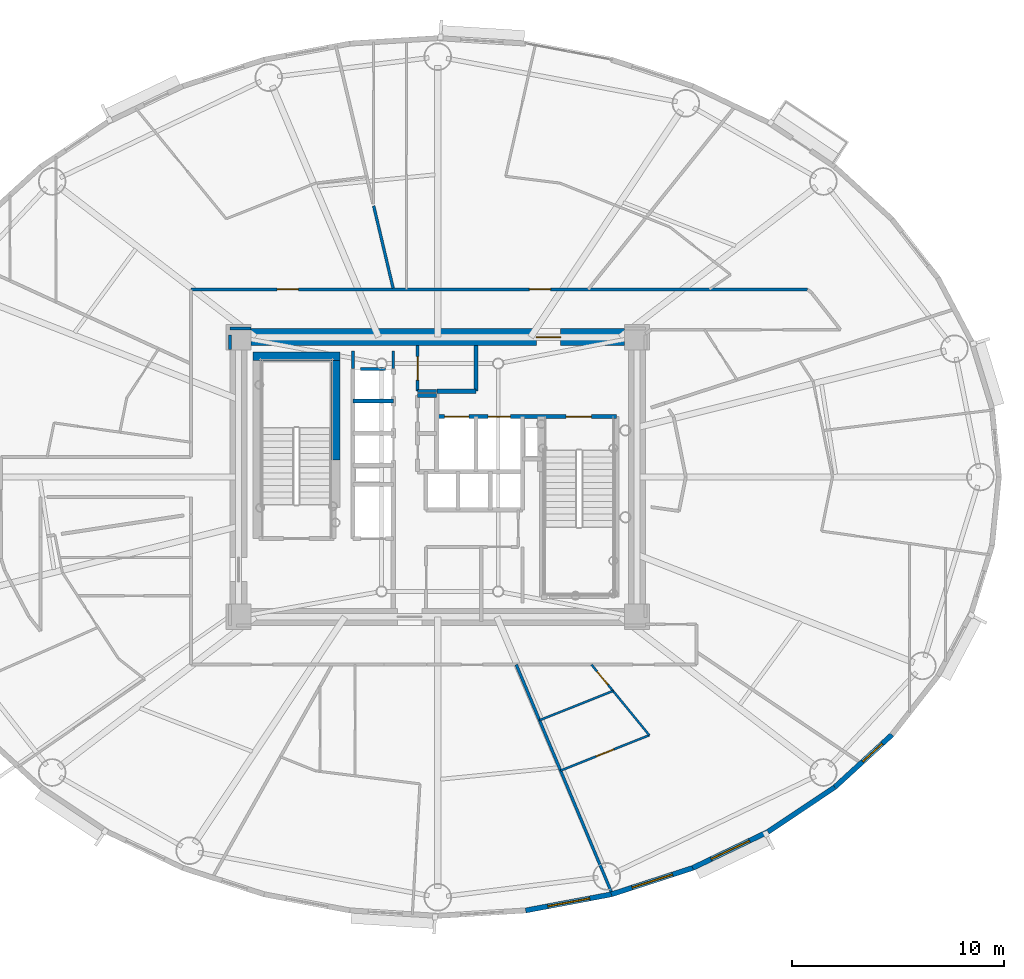
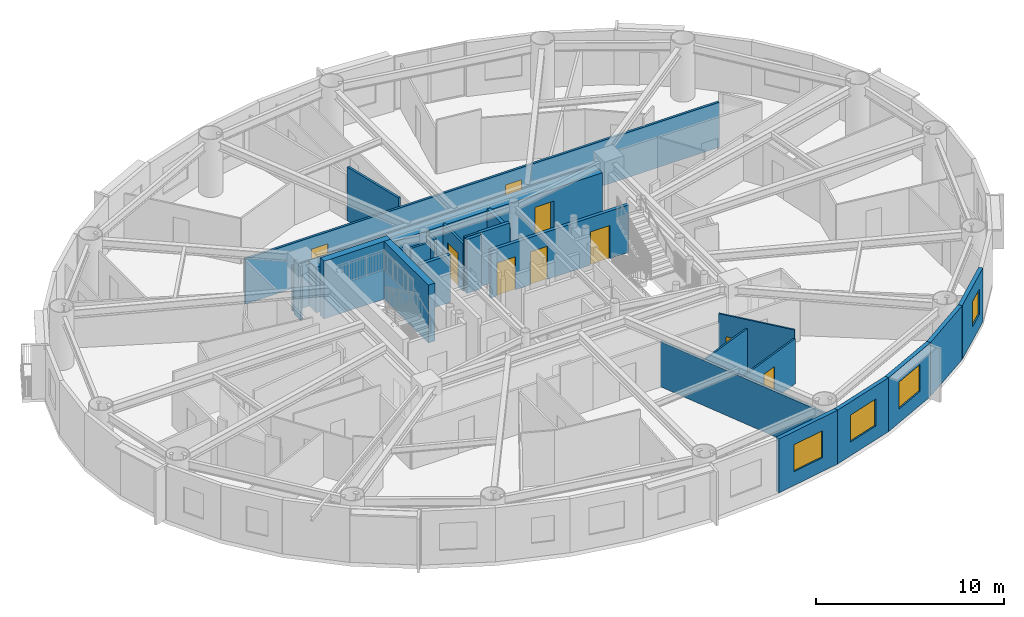
# One storey, part 10 of 20: 26 walls, 9 doors, 4 windows, 13 openings.
"""IFC4 building model written with IfcOpenShell, lengths in metres."""

from ifc_helpers import new_model, si_unit, direction, frame, frame_2d, origin, origin_2d, place, context, subcontext, project, spatial, rectangle, extrude, source, transform, mapped, material, layer, layer_set, type_object, element, fill, save


model = new_model("IFC4")

# Units and contexts
model_context = context("Model", 3, precision=1e-05, world=origin(), true_north=direction((0.0, 1.0)))
body_context = subcontext(model_context, "Body", "Model", "MODEL_VIEW")
ifc_project = project(units=[si_unit("LENGTHUNIT", "METRE"), si_unit("AREAUNIT", "SQUARE_METRE"), si_unit("VOLUMEUNIT", "CUBIC_METRE"), si_unit("PLANEANGLEUNIT", "RADIAN"), si_unit("MASSUNIT", "GRAM", prefix="KILO")], contexts=[model_context])

# Site, building, storey
site_placement = place(None, origin())
site = spatial("IfcSite", under=ifc_project, at=site_placement, CompositionType="ELEMENT")
building_placement = place(site_placement, origin())
building = spatial("IfcBuilding", under=site, at=building_placement, Name="Linh Dai School and Residence Tower", CompositionType="ELEMENT")
storey_placement = place(building_placement, frame((0.0, 0.0, 163.64990234375)))
storey = spatial("IfcBuildingStorey", under=building, at=storey_placement, Name="L39", CompositionType="ELEMENT", Elevation=163.64990234375)

# Wall, opening, window
ifc_material_1 = material(Name="Precast Concrete B45 (C35/45)", Category="concrete")
ifc_layer_1 = layer(ifc_material_1, 0.239990234375)
ifc_layer_set_1 = layer_set([ifc_layer_1], Name="Precast Concrete B45 (C35/45)")
wall_type_1 = type_object("IfcWallType", Name="EW-TC-240", PredefinedType="SOLIDWALL", material=ifc_layer_set_1)
wall_1_placement = place(storey_placement, frame((44.18896484375, 7.310546875, 0.0), z_axis=(0.0, 0.0, 1.0), x_axis=(-0.982788108205, -0.184736391573, 0.0)))
wall_1 = element("IfcWall", 1, at=wall_1_placement, inside=storey, type_object=wall_type_1, Name="L39 Terracotta Exterior Wall 32", PredefinedType="SOLIDWALL", context=body_context, shape_type="SweptSolid", body=[
    extrude(rectangle(XDim=4.114013671875, YDim=0.239990234375, at=frame_2d((2.05712890625, 0.0))), origin(), (0.0, 0.0, 1.0), 3.5),
])
opening_1_placement = place(wall_1_placement, frame((1.044677734375, 0.0, 0.89990234375)))
opening_1 = element("IfcOpeningElement", 2, at=opening_1_placement, cuts=wall_1, Name="Opening W1", PredefinedType="OPENING", context=body_context, shape_type="SweptSolid", body=[
    extrude(rectangle(XDim=2.0, YDim=1.75, at=origin_2d()), frame((1.0, 0.1298828125, 0.875), z_axis=(0.0, -1.0, 0.0), x_axis=(1.0, 0.0, 0.0)), (0.0, 0.0, 1.0), 0.260009765625),
])
ifc_material_2 = material(Name="Double Low-E Insulated Glazing", Category="glass")
window_type_1 = type_object("IfcWindowType", Name="WN-RES-2000x1750", PartitioningType="DOUBLE_PANEL_VERTICAL", PredefinedType="WINDOW", material=ifc_material_2)
shared_shape_1 = source(origin(), body_context, "Body", "SweptSolid", [
    extrude(rectangle(XDim=2.0, YDim=1.75, at=origin_2d()), frame((1.0, 0.030029296875, 0.875), z_axis=(0.0, -1.0, 0.0), x_axis=(1.0, 0.0, 0.0)), (0.0, 0.0, 1.0), 0.06005859375),
])
window_1_placement = place(opening_1_placement, origin())
window_1 = element("IfcWindow", 3, at=window_1_placement, inside=storey, type_object=window_type_1, Name="L39 Exterior Window 32.1", OverallHeight=1.75, OverallWidth=2.0, PartitioningType="DOUBLE_PANEL_VERTICAL", PredefinedType="WINDOW", context=body_context, shape_type="MappedRepresentation", body=[
    mapped(shared_shape_1, transform((0.0, 0.0, 0.0), x_axis=(1.0, 0.0, 0.0), y_axis=(0.0, 1.0, 0.0), z_axis=(0.0, 0.0, 1.0), scale=1.0)),
])
fill(opening_1, window_1)

wall_2_placement = place(storey_placement, frame((48.02978515625, 8.556396484375, 0.0), z_axis=(0.0, 0.0, 1.0), x_axis=(-0.951209870236, -0.30854462038, 0.0)))
wall_2 = element("IfcWall", 4, at=wall_2_placement, inside=storey, type_object=wall_type_1, Name="L39 Terracotta Exterior Wall 33", PredefinedType="SOLIDWALL", context=body_context, shape_type="SweptSolid", body=[
    extrude(rectangle(XDim=4.037841796875, YDim=0.239990234375, at=frame_2d((2.01904296875, 0.0))), origin(), (0.0, 0.0, 1.0), 3.5),
])
opening_2_placement = place(wall_2_placement, frame((1.00634765625, 0.0, 0.89990234375)))
opening_2 = element("IfcOpeningElement", 5, at=opening_2_placement, cuts=wall_2, Name="Opening W1", PredefinedType="OPENING", context=body_context, shape_type="SweptSolid", body=[
    extrude(rectangle(XDim=2.0, YDim=1.75, at=origin_2d()), frame((1.0, 0.1298828125, 0.875), z_axis=(0.0, -1.0, 0.0), x_axis=(1.0, 0.0, 0.0)), (0.0, 0.0, 1.0), 0.260009765625),
])
window_2_placement = place(opening_2_placement, origin())
window_2 = element("IfcWindow", 6, at=window_2_placement, inside=storey, type_object=window_type_1, Name="L39 Exterior Window 33.1", OverallHeight=1.75, OverallWidth=2.0, PartitioningType="DOUBLE_PANEL_VERTICAL", PredefinedType="WINDOW", context=body_context, shape_type="MappedRepresentation", body=[
    mapped(shared_shape_1, transform((0.0, 0.0, 0.0), x_axis=(1.0, 0.0, 0.0), y_axis=(0.0, 1.0, 0.0), z_axis=(0.0, 0.0, 1.0), scale=1.0)),
])
fill(opening_2, window_2)

wall_3_placement = place(storey_placement, frame((51.5732421875, 10.2568359375, 0.0), z_axis=(0.0, 0.0, 1.0), x_axis=(-0.901564733809, -0.432644231155, 0.0)))
wall_3 = element("IfcWall", 7, at=wall_3_placement, inside=storey, type_object=wall_type_1, Name="L39 Terracotta Exterior Wall 34", PredefinedType="SOLIDWALL", context=body_context, shape_type="SweptSolid", body=[
    extrude(rectangle(XDim=3.930419921875, YDim=0.239990234375, at=frame_2d((1.96533203125, 0.0))), origin(), (0.0, 0.0, 1.0), 3.5),
])
opening_3_placement = place(wall_3_placement, frame((0.96533203125, 0.0, 0.89990234375)))
opening_3 = element("IfcOpeningElement", 8, at=opening_3_placement, cuts=wall_3, Name="Opening W1", PredefinedType="OPENING", context=body_context, shape_type="SweptSolid", body=[
    extrude(rectangle(XDim=2.0, YDim=1.75, at=origin_2d()), frame((1.0, 0.1298828125, 0.875), z_axis=(0.0, -1.0, 0.0), x_axis=(1.0, 0.0, 0.0)), (0.0, 0.0, 1.0), 0.260009765625),
])
window_3_placement = place(opening_3_placement, origin())
window_3 = element("IfcWindow", 9, at=window_3_placement, inside=storey, type_object=window_type_1, Name="L39 Exterior Window 34.1", OverallHeight=1.75, OverallWidth=2.0, PartitioningType="DOUBLE_PANEL_VERTICAL", PredefinedType="WINDOW", context=body_context, shape_type="MappedRepresentation", body=[
    mapped(shared_shape_1, transform((0.0, 0.0, 0.0), x_axis=(1.0, 0.0, 0.0), y_axis=(0.0, 1.0, 0.0), z_axis=(0.0, 0.0, 1.0), scale=1.0)),
])
fill(opening_3, window_3)

# Wall
wall_4_placement = place(storey_placement, frame((54.73193359375, 12.369384765625, 0.0), z_axis=(0.0, 0.0, 1.0), x_axis=(-0.831228998277, -0.555930168657, 0.0)))
element("IfcWall", 10, at=wall_4_placement, inside=storey, type_object=wall_type_1, Name="L39 Terracotta Exterior Wall 35", PredefinedType="SOLIDWALL", context=body_context, shape_type="SweptSolid", body=[
    extrude(rectangle(XDim=3.800048828125, YDim=0.239990234375, at=frame_2d((1.89990234375, 0.0))), origin(), (0.0, 0.0, 1.0), 3.5),
])

# Wall, opening, window
wall_5_placement = place(storey_placement, frame((57.42822265625, 14.841552734375, 0.0), z_axis=(0.0, 0.0, 1.0), x_axis=(-0.737076565834, -0.675809245349, 0.0)))
wall_5 = element("IfcWall", 11, at=wall_5_placement, inside=storey, type_object=wall_type_1, Name="L39 Terracotta Exterior Wall 36", PredefinedType="SOLIDWALL", context=body_context, shape_type="SweptSolid", body=[
    extrude(rectangle(XDim=3.658203125, YDim=0.239990234375, at=frame_2d((1.8291015625, 0.0))), origin(), (0.0, 0.0, 1.0), 3.5),
])
opening_4_placement = place(wall_5_placement, frame((0.62060546875, 0.0, 0.89990234375)))
opening_4 = element("IfcOpeningElement", 12, at=opening_4_placement, cuts=wall_5, Name="Opening W3", PredefinedType="OPENING", context=body_context, shape_type="SweptSolid", body=[
    extrude(rectangle(XDim=1.25, YDim=1.64990234375, at=origin_2d()), frame((0.625, 0.1298828125, 0.824951171875), z_axis=(0.0, -1.0, 0.0), x_axis=(1.0, 0.0, 0.0)), (0.0, 0.0, 1.0), 0.260009765625),
])
window_type_2 = type_object("IfcWindowType", Name="WN-RES-1250x1650", PartitioningType="SINGLE_PANEL", PredefinedType="WINDOW", material=ifc_material_2)
shared_shape_2 = source(origin(), body_context, "Body", "SweptSolid", [
    extrude(rectangle(XDim=1.25, YDim=1.64990234375, at=origin_2d()), frame((0.625, 0.030029296875, 0.824951171875), z_axis=(0.0, -1.0, 0.0), x_axis=(1.0, 0.0, 0.0)), (0.0, 0.0, 1.0), 0.06005859375),
])
window_4_placement = place(opening_4_placement, origin())
window_4 = element("IfcWindow", 13, at=window_4_placement, inside=storey, type_object=window_type_2, Name="L39 Dwelling Window U3908-LIV", OverallHeight=1.64990234375, OverallWidth=1.25, PartitioningType="SINGLE_PANEL", PredefinedType="WINDOW", context=body_context, shape_type="MappedRepresentation", body=[
    mapped(shared_shape_2, transform((0.0, 0.0, 0.0), x_axis=(1.0, 0.0, 0.0), y_axis=(0.0, 1.0, 0.0), z_axis=(0.0, 0.0, 1.0), scale=1.0)),
])
fill(opening_4, window_4)

# Wall, openings, doors
ifc_material_3 = material(Name="Autoclaved Aerated Concrete Blockwork", Category="masonry")
ifc_layer_2 = layer(ifc_material_3, 0.135009765625)
ifc_layer_set_2 = layer_set([ifc_layer_2], Name="Autoclaved Aerated Concrete Blockwork")
wall_type_2 = type_object("IfcWallType", Name="IW-CORR-135-EI90", PredefinedType="PARTITIONING", material=ifc_layer_set_2)
wall_6_placement = place(storey_placement, frame((24.35009765625, 35.85009765625, 0.0), z_axis=(0.0, 0.0, 1.0), x_axis=(1.0, 0.0, 0.0)))
wall_6 = element("IfcWall", 14, at=wall_6_placement, inside=storey, type_object=wall_type_2, Name="L39 Interior Partition Wall 026", PredefinedType="PARTITIONING", context=body_context, shape_type="SweptSolid", body=[
    extrude(rectangle(XDim=29.103759765625, YDim=0.135009765625, at=frame_2d((14.5517578125, 0.0))), origin(), (0.0, 0.0, 1.0), 2.93505859375),
])
opening_5_placement = place(wall_6_placement, frame((15.9716796875, 0.0, 0.0)))
opening_5 = element("IfcOpeningElement", 15, at=opening_5_placement, cuts=wall_6, Name="Opening D03", PredefinedType="OPENING", context=body_context, shape_type="SweptSolid", body=[
    extrude(rectangle(XDim=1.0, YDim=2.14990234375, at=origin_2d()), frame((0.5, 0.07763671875, 1.074951171875), z_axis=(0.0, -1.0, 0.0), x_axis=(1.0, 0.0, 0.0)), (0.0, 0.0, 1.0), 0.155029296875),
])
opening_6_placement = place(wall_6_placement, frame((4.07421875, 0.0, 0.0)))
opening_6 = element("IfcOpeningElement", 16, at=opening_6_placement, cuts=wall_6, Name="Opening D03", PredefinedType="OPENING", context=body_context, shape_type="SweptSolid", body=[
    extrude(rectangle(XDim=1.0, YDim=2.14990234375, at=origin_2d()), frame((0.5, 0.07763671875, 1.074951171875), z_axis=(0.0, -1.0, 0.0), x_axis=(1.0, 0.0, 0.0)), (0.0, 0.0, 1.0), 0.155029296875),
])
ifc_material_4 = material(Name="Fire-Rated Solid Timber Entrance Door", Category="wood")
door_type_1 = type_object("IfcDoorType", Name="DR-FLAT-1000x2150-FD60S", OperationType="NOTDEFINED", PredefinedType="DOOR", material=ifc_material_4)
shared_shape_3 = source(origin(), body_context, "Body", "SweptSolid", [
    extrude(rectangle(XDim=1.0, YDim=2.14990234375, at=origin_2d()), frame((0.5, 0.02490234375, 1.074951171875), z_axis=(0.0, -1.0, 0.0), x_axis=(1.0, 0.0, 0.0)), (0.0, 0.0, 1.0), 0.050048828125),
])
door_1_placement = place(opening_5_placement, origin())
door_1 = element("IfcDoor", 17, at=door_1_placement, inside=storey, type_object=door_type_1, Name="L39 U3902 Apartment Entrance Door", OperationType="SINGLE_SWING_LEFT", OverallHeight=2.14990234375, OverallWidth=1.0, PredefinedType="DOOR", context=body_context, shape_type="MappedRepresentation", body=[
    mapped(shared_shape_3, transform((0.0, 0.0, 0.0), x_axis=(1.0, 0.0, 0.0), y_axis=(0.0, 1.0, 0.0), z_axis=(0.0, 0.0, 1.0), scale=1.0)),
])
fill(opening_5, door_1)
door_2_placement = place(opening_6_placement, origin())
door_2 = element("IfcDoor", 18, at=door_2_placement, inside=storey, type_object=door_type_1, Name="L39 U3903 Apartment Entrance Door", OperationType="SINGLE_SWING_LEFT", OverallHeight=2.14990234375, OverallWidth=1.0, PredefinedType="DOOR", context=body_context, shape_type="MappedRepresentation", body=[
    mapped(shared_shape_3, transform((0.0, 0.0, 0.0), x_axis=(1.0, 0.0, 0.0), y_axis=(0.0, 1.0, 0.0), z_axis=(0.0, 0.0, 1.0), scale=1.0)),
])
fill(opening_6, door_2)

# Wall
wall_7_placement = place(storey_placement, frame((32.975830078125, 39.79248046875, 0.0), z_axis=(0.0, 0.0, 1.0), x_axis=(0.230050705958, -0.973178643769, 0.0)))
element("IfcWall", 19, at=wall_7_placement, inside=storey, type_object=wall_type_2, Name="L39 Interior Partition Wall 043", PredefinedType="PARTITIONING", context=body_context, shape_type="SweptSolid", body=[
    extrude(rectangle(XDim=3.99560546875, YDim=0.135009765625, at=frame_2d((1.997802734375, 0.0))), origin(), (0.0, 0.0, 1.0), 3.5),
])

# Wall, opening, door
wall_8_placement = place(storey_placement, frame((35.050048828125, 31.050048828125, 0.0), z_axis=(0.0, 0.0, 1.0), x_axis=(0.0, 1.0, 0.0)))
wall_8 = element("IfcWall", 20, at=wall_8_placement, inside=storey, type_object=wall_type_2, Name="L39 Interior Partition Wall 052", PredefinedType="PARTITIONING", context=body_context, shape_type="SweptSolid", body=[
    extrude(rectangle(XDim=2.14990234375, YDim=0.135009765625, at=frame_2d((1.074951171875, 0.0))), origin(), (0.0, 0.0, 1.0), 3.085205078125),
])
opening_7_placement = place(wall_8_placement, frame((0.52490234375, 0.0, 0.0)))
opening_7 = element("IfcOpeningElement", 21, at=opening_7_placement, cuts=wall_8, Name="Opening D07", PredefinedType="OPENING", context=body_context, shape_type="SweptSolid", body=[
    extrude(rectangle(XDim=1.10009765625, YDim=2.14990234375, at=origin_2d()), frame((0.550048828125, 0.07763671875, 1.074951171875), z_axis=(0.0, -1.0, 0.0), x_axis=(1.0, 0.0, 0.0)), (0.0, 0.0, 1.0), 0.155029296875),
])
ifc_material_5 = material(Name="Fire-Rated Louvred Steel Plant Door", Category="steel")
door_type_2 = type_object("IfcDoorType", Name="DR-PLT-1100x2150-FD60S", OperationType="NOTDEFINED", PredefinedType="DOOR", material=ifc_material_5)
shared_shape_4 = source(origin(), body_context, "Body", "SweptSolid", [
    extrude(rectangle(XDim=1.10009765625, YDim=2.14990234375, at=origin_2d()), frame((0.550048828125, 0.02490234375, 1.074951171875), z_axis=(0.0, -1.0, 0.0), x_axis=(1.0, 0.0, 0.0)), (0.0, 0.0, 1.0), 0.050048828125),
])
door_3_placement = place(opening_7_placement, origin())
door_3 = element("IfcDoor", 22, at=door_3_placement, inside=storey, type_object=door_type_2, Name="L39 North BMS Switchroom Door", OperationType="SINGLE_SWING_LEFT", OverallHeight=2.14990234375, OverallWidth=1.10009765625, PredefinedType="DOOR", context=body_context, shape_type="MappedRepresentation", body=[
    mapped(shared_shape_4, transform((0.0, 0.0, 0.0), x_axis=(1.0, 0.0, 0.0), y_axis=(0.0, 1.0, 0.0), z_axis=(0.0, 0.0, 1.0), scale=1.0)),
])
fill(opening_7, door_3)

# Walls
wall_9_placement = place(storey_placement, frame((35.050048828125, 31.050048828125, 0.0), z_axis=(0.0, 0.0, 1.0), x_axis=(1.0, 0.0, 0.0)))
element("IfcWall", 23, at=wall_9_placement, inside=storey, type_object=wall_type_2, Name="L39 Interior Partition Wall 053", PredefinedType="PARTITIONING", context=body_context, shape_type="SweptSolid", body=[
    extrude(rectangle(XDim=0.89990234375, YDim=0.135009765625, at=frame_2d((0.449951171875, 0.0))), origin(), (0.0, 0.0, 1.0), 3.5),
])
wall_10_placement = place(storey_placement, frame((39.701904296875, 18.14990234375, 0.0), z_axis=(0.0, 0.0, 1.0), x_axis=(0.385887872902, -0.92254568968, 0.0)))
element("IfcWall", 24, at=wall_10_placement, inside=storey, type_object=wall_type_2, Name="L39 Interior Partition Wall 069", PredefinedType="PARTITIONING", context=body_context, shape_type="SweptSolid", body=[
    extrude(rectangle(XDim=11.739990234375, YDim=0.135009765625, at=frame_2d((5.8701171875, 0.0))), origin(), (0.0, 0.0, 1.0), 2.93505859375),
])
wall_11_placement = place(storey_placement, frame((32.360107421875, 32.10009765625, 0.0), z_axis=(0.0, 0.0, 1.0), x_axis=(1.0, 0.0, 0.0)))
element("IfcWall", 25, at=wall_11_placement, inside=storey, type_object=wall_type_2, Name="L39 Interior Partition Wall 099", PredefinedType="PARTITIONING", context=body_context, shape_type="SweptSolid", body=[
    extrude(rectangle(XDim=1.179931640625, YDim=0.135009765625, at=frame_2d((0.58984375, 0.0))), origin(), (0.0, 0.0, 1.0), 3.085205078125),
])
wall_12_placement = place(storey_placement, frame((32.0, 32.93994140625, 0.0), z_axis=(0.0, 0.0, 1.0), x_axis=(0.0, -1.0, 0.0)))
element("IfcWall", 26, at=wall_12_placement, inside=storey, type_object=wall_type_2, Name="L39 Interior Partition Wall 101", PredefinedType="PARTITIONING", context=body_context, shape_type="SweptSolid", body=[
    extrude(rectangle(XDim=0.829833984375, YDim=0.135009765625, at=frame_2d((0.4150390625, 0.0))), origin(), (0.0, 0.0, 1.0), 3.03515625),
])
wall_13_placement = place(storey_placement, frame((33.89990234375, 32.110107421875, 0.0), z_axis=(0.0, 0.0, 1.0), x_axis=(0.0, 1.0, 0.0)))
element("IfcWall", 27, at=wall_13_placement, inside=storey, type_object=wall_type_2, Name="L39 Interior Partition Wall 102", PredefinedType="PARTITIONING", context=body_context, shape_type="SweptSolid", body=[
    extrude(rectangle(XDim=0.829833984375, YDim=0.135009765625, at=frame_2d((0.4150390625, 0.0))), origin(), (0.0, 0.0, 1.0), 3.085205078125),
])
wall_14_placement = place(storey_placement, frame((27.18994140625, 34.0, 0.0), z_axis=(0.0, 0.0, 1.0), x_axis=(-1.0, 0.0, 0.0)))
element("IfcWall", 28, at=wall_14_placement, inside=storey, type_object=wall_type_2, Name="L39 Interior Partition Wall 105", PredefinedType="PARTITIONING", context=body_context, shape_type="SweptSolid", body=[
    extrude(rectangle(XDim=0.989990234375, YDim=0.135009765625, at=frame_2d((0.4951171875, 0.0))), origin(), (0.0, 0.0, 1.0), 2.93505859375),
])
wall_15_placement = place(storey_placement, frame((26.199951171875, 33.6923828125, 0.0), z_axis=(0.0, 0.0, 1.0), x_axis=(0.0, -1.0, 0.0)))
element("IfcWall", 29, at=wall_15_placement, inside=storey, type_object=wall_type_2, Name="L39 Interior Partition Wall 106", PredefinedType="PARTITIONING", context=body_context, shape_type="SweptSolid", body=[
    extrude(rectangle(XDim=0.682373046875, YDim=0.135009765625, at=frame_2d((0.34130859375, 0.0))), origin(), (0.0, 0.0, 1.0), 3.5),
])
ifc_material_6 = material(Name="Concrete B45 (C35/45)", Category="concrete")
ifc_layer_3 = layer(ifc_material_6, 0.199951171875)
ifc_layer_set_3 = layer_set([ifc_layer_3], Name="Concrete B45 (C35/45)")
wall_type_3 = type_object("IfcWallType", Name="IW-SHAFT-200-EI120", PredefinedType="PARTITIONING", material=ifc_layer_set_3)
wall_16_placement = place(storey_placement, frame((32.0, 30.580078125, 0.0), z_axis=(0.0, 0.0, 1.0), x_axis=(1.0, 0.0, 0.0)))
element("IfcWall", 30, at=wall_16_placement, inside=storey, type_object=wall_type_3, Name="L39 Interior Partition Wall 041", PredefinedType="PARTITIONING", context=body_context, shape_type="SweptSolid", body=[
    extrude(rectangle(XDim=1.89990234375, YDim=0.199951171875, at=frame_2d((0.949951171875, 0.0))), origin(), (0.0, 0.0, 1.0), 3.085205078125),
])
wall_17_placement = place(storey_placement, frame((35.050048828125, 30.85009765625, 0.0), z_axis=(0.0, 0.0, 1.0), x_axis=(1.0, 0.0, 0.0)))
element("IfcWall", 31, at=wall_17_placement, inside=storey, type_object=wall_type_3, Name="L39 Interior Partition Wall 051", PredefinedType="PARTITIONING", context=body_context, shape_type="SweptSolid", body=[
    extrude(rectangle(XDim=0.89990234375, YDim=0.199951171875, at=frame_2d((0.449951171875, 0.0))), origin(), (0.0, 0.0, 1.0), 3.5),
])

# Wall, openings, doors
wall_18_placement = place(storey_placement, frame((35.949951171875, 29.85009765625, 0.0), z_axis=(0.0, 0.0, 1.0), x_axis=(1.0, 0.0, 0.0)))
wall_18 = element("IfcWall", 32, at=wall_18_placement, inside=storey, type_object=wall_type_3, Name="L39 Interior Partition Wall 060", PredefinedType="PARTITIONING", context=body_context, shape_type="SweptSolid", body=[
    extrude(rectangle(XDim=8.489990234375, YDim=0.199951171875, at=frame_2d((4.2451171875, 0.0))), origin(), (0.0, 0.0, 1.0), 3.085205078125),
])
opening_8_placement = place(wall_18_placement, frame((6.10009765625, 0.0, 0.0)))
opening_8 = element("IfcOpeningElement", 33, at=opening_8_placement, cuts=wall_18, Name="Opening D01", PredefinedType="OPENING", context=body_context, shape_type="SweptSolid", body=[
    extrude(rectangle(XDim=1.199951171875, YDim=2.14990234375, at=origin_2d()), frame((0.60009765625, 0.10986328125, 1.074951171875), z_axis=(0.0, -1.0, 0.0), x_axis=(1.0, 0.0, 0.0)), (0.0, 0.0, 1.0), 0.219970703125),
])
opening_9_placement = place(wall_18_placement, frame((0.3701171875, 0.0, 0.0)))
opening_9 = element("IfcOpeningElement", 34, at=opening_9_placement, cuts=wall_18, Name="Opening LD-FF1", PredefinedType="OPENING", context=body_context, shape_type="SweptSolid", body=[
    extrude(rectangle(XDim=1.14990234375, YDim=2.14990234375, at=origin_2d()), frame((0.574951171875, 0.10986328125, 1.074951171875), z_axis=(0.0, -1.0, 0.0), x_axis=(1.0, 0.0, 0.0)), (0.0, 0.0, 1.0), 0.219970703125),
])
opening_10_placement = place(wall_18_placement, frame((2.425048828125, 0.0, 0.0)))
opening_10 = element("IfcOpeningElement", 35, at=opening_10_placement, cuts=wall_18, Name="Opening LD-SV1", PredefinedType="OPENING", context=body_context, shape_type="SweptSolid", body=[
    extrude(rectangle(XDim=1.050048828125, YDim=2.14990234375, at=origin_2d()), frame((0.52490234375, 0.10986328125, 1.074951171875), z_axis=(0.0, -1.0, 0.0), x_axis=(1.0, 0.0, 0.0)), (0.0, 0.0, 1.0), 0.219970703125),
])
ifc_material_7 = material(Name="Fire-Rated Steel Door Leaf", Category="steel")
door_type_3 = type_object("IfcDoorType", Name="DR-STAIR-1200x2150-FD90S", OperationType="NOTDEFINED", PredefinedType="DOOR", material=ifc_material_7)
shared_shape_5 = source(origin(), body_context, "Body", "SweptSolid", [
    extrude(rectangle(XDim=1.199951171875, YDim=2.14990234375, at=origin_2d()), frame((0.60009765625, 0.02490234375, 1.074951171875), z_axis=(0.0, -1.0, 0.0), x_axis=(1.0, 0.0, 0.0)), (0.0, 0.0, 1.0), 0.050048828125),
])
door_4_placement = place(opening_8_placement, origin())
door_4 = element("IfcDoor", 36, at=door_4_placement, inside=storey, type_object=door_type_3, Name="L39 Core Smokeproof Exit Stair ST2 Door", OperationType="SINGLE_SWING_LEFT", OverallHeight=2.14990234375, OverallWidth=1.199951171875, PredefinedType="DOOR", context=body_context, shape_type="MappedRepresentation", body=[
    mapped(shared_shape_5, transform((0.0, 0.0, 0.0), x_axis=(1.0, 0.0, 0.0), y_axis=(0.0, 1.0, 0.0), z_axis=(0.0, 0.0, 1.0), scale=1.0)),
])
fill(opening_8, door_4)
ifc_material_8 = material(Name="Fire-Rated Stainless Steel Firefighting Lift Door", Category="steel")
door_type_4 = type_object("IfcDoorType", Name="DR-LD-FF-1150x2150-FD120", OperationType="DOUBLE_DOOR_SLIDING", PredefinedType="USERDEFINED", material=ifc_material_8)
shared_shape_6 = source(origin(), body_context, "Body", "SweptSolid", [
    extrude(rectangle(XDim=1.14990234375, YDim=2.14990234375, at=origin_2d()), frame((0.574951171875, 0.02490234375, 1.074951171875), z_axis=(0.0, -1.0, 0.0), x_axis=(1.0, 0.0, 0.0)), (0.0, 0.0, 1.0), 0.050048828125),
])
door_5_placement = place(opening_9_placement, origin())
door_5 = element("IfcDoor", 37, at=door_5_placement, inside=storey, type_object=door_type_4, Name="L39 Lift FF1 Sliding Landing Door", ObjectType="LANDING DOOR", OperationType="DOUBLE_DOOR_SLIDING", OverallHeight=2.14990234375, OverallWidth=1.14990234375, PredefinedType="USERDEFINED", context=body_context, shape_type="MappedRepresentation", body=[
    mapped(shared_shape_6, transform((0.0, 0.0, 0.0), x_axis=(1.0, 0.0, 0.0), y_axis=(0.0, 1.0, 0.0), z_axis=(0.0, 0.0, 1.0), scale=1.0)),
])
fill(opening_9, door_5)
ifc_material_9 = material(Name="Brushed Stainless Steel Lift Landing Door", Category="steel")
door_type_5 = type_object("IfcDoorType", Name="DR-LD-PASS-1050x2150", OperationType="DOUBLE_DOOR_SLIDING", PredefinedType="USERDEFINED", material=ifc_material_9)
shared_shape_7 = source(origin(), body_context, "Body", "SweptSolid", [
    extrude(rectangle(XDim=1.050048828125, YDim=2.14990234375, at=origin_2d()), frame((0.52490234375, 0.02490234375, 1.074951171875), z_axis=(0.0, -1.0, 0.0), x_axis=(1.0, 0.0, 0.0)), (0.0, 0.0, 1.0), 0.050048828125),
])
door_6_placement = place(opening_10_placement, origin())
door_6 = element("IfcDoor", 38, at=door_6_placement, inside=storey, type_object=door_type_5, Name="L39 Lift SV1 Sliding Landing Door", ObjectType="LANDING DOOR", OperationType="DOUBLE_DOOR_SLIDING", OverallHeight=2.14990234375, OverallWidth=1.050048828125, PredefinedType="USERDEFINED", context=body_context, shape_type="MappedRepresentation", body=[
    mapped(shared_shape_7, transform((0.0, 0.0, 0.0), x_axis=(1.0, 0.0, 0.0), y_axis=(0.0, 1.0, 0.0), z_axis=(0.0, 0.0, 1.0), scale=1.0)),
])
fill(opening_10, door_6)

# Walls
wall_19_placement = place(storey_placement, frame((35.9599609375, 31.050048828125, 0.0), z_axis=(0.0, 0.0, 1.0), x_axis=(1.0, 0.0, 0.0)))
element("IfcWall", 39, at=wall_19_placement, inside=storey, type_object=wall_type_3, Name="L39 Interior Partition Wall 061", PredefinedType="PARTITIONING", context=body_context, shape_type="SweptSolid", body=[
    extrude(rectangle(XDim=1.840087890625, YDim=0.199951171875, at=frame_2d((0.919921875, 0.0))), origin(), (0.0, 0.0, 1.0), 3.5),
])
wall_20_placement = place(storey_placement, frame((37.800048828125, 31.050048828125, 0.0), z_axis=(0.0, 0.0, 1.0), x_axis=(0.0, 1.0, 0.0)))
element("IfcWall", 40, at=wall_20_placement, inside=storey, type_object=wall_type_3, Name="L39 Interior Partition Wall 064", PredefinedType="PARTITIONING", context=body_context, shape_type="SweptSolid", body=[
    extrude(rectangle(XDim=2.14990234375, YDim=0.199951171875, at=frame_2d((1.074951171875, 0.0))), origin(), (0.0, 0.0, 1.0), 3.085205078125),
])
ifc_material_10 = material(Name="Gypsum Plasterboard Acoustic Stud Partition", Category="masonry")
ifc_layer_4 = layer(ifc_material_10, 0.10009765625)
ifc_layer_set_4 = layer_set([ifc_layer_4], Name="Gypsum Plasterboard Acoustic Stud Partition")
wall_type_4 = type_object("IfcWallType", Name="IW-UNIT-100", PredefinedType="PARTITIONING", material=ifc_layer_set_4)
wall_21_placement = place(storey_placement, frame((40.800537109375, 15.523193359375, 0.0), z_axis=(0.0, 0.0, 1.0), x_axis=(0.928814511675, 0.370545007931, 0.0)))
element("IfcWall", 41, at=wall_21_placement, inside=storey, type_object=wall_type_4, Name="L39 Interior Partition Wall 073", PredefinedType="PARTITIONING", context=body_context, shape_type="SweptSolid", body=[
    extrude(rectangle(XDim=3.73388671875, YDim=0.10009765625, at=frame_2d((1.866943359375, 0.0))), origin(), (0.0, 0.0, 1.0), 2.93505859375),
])

# Wall, opening, door
wall_22_placement = place(storey_placement, frame((41.7939453125, 13.148681640625, 0.0), z_axis=(0.0, 0.0, 1.0), x_axis=(0.928797683311, 0.370587187415, 0.0)))
wall_22 = element("IfcWall", 42, at=wall_22_placement, inside=storey, type_object=wall_type_4, Name="L39 Interior Partition Wall 077", PredefinedType="PARTITIONING", context=body_context, shape_type="SweptSolid", body=[
    extrude(rectangle(XDim=4.506103515625, YDim=0.10009765625, at=frame_2d((2.2529296875, 0.0))), origin(), (0.0, 0.0, 1.0), 2.93505859375),
])
opening_11_placement = place(wall_22_placement, frame((1.80322265625, 0.0, 0.0)))
opening_11 = element("IfcOpeningElement", 43, at=opening_11_placement, cuts=wall_22, Name="Opening D05", PredefinedType="OPENING", context=body_context, shape_type="SweptSolid", body=[
    extrude(rectangle(XDim=0.89990234375, YDim=2.10009765625, at=origin_2d()), frame((0.449951171875, 0.06005859375, 1.050048828125), z_axis=(0.0, -1.0, 0.0), x_axis=(1.0, 0.0, 0.0)), (0.0, 0.0, 1.0), 0.1201171875),
])
ifc_material_11 = material(Name="Engineered Timber Internal Door", Category="wood")
door_type_6 = type_object("IfcDoorType", Name="DR-INT-900x2100", OperationType="NOTDEFINED", PredefinedType="DOOR", material=ifc_material_11)
shared_shape_8 = source(origin(), body_context, "Body", "SweptSolid", [
    extrude(rectangle(XDim=0.89990234375, YDim=2.10009765625, at=origin_2d()), frame((0.449951171875, 0.02490234375, 1.050048828125), z_axis=(0.0, -1.0, 0.0), x_axis=(1.0, 0.0, 0.0)), (0.0, 0.0, 1.0), 0.050048828125),
])
door_7_placement = place(opening_11_placement, origin())
door_7 = element("IfcDoor", 44, at=door_7_placement, inside=storey, type_object=door_type_6, Name="L39 Apartment U3907 Kitchen Door", OperationType="SINGLE_SWING_LEFT", OverallHeight=2.10009765625, OverallWidth=0.89990234375, PredefinedType="DOOR", context=body_context, shape_type="MappedRepresentation", body=[
    mapped(shared_shape_8, transform((0.0, 0.0, 0.0), x_axis=(1.0, 0.0, 0.0), y_axis=(0.0, 1.0, 0.0), z_axis=(0.0, 0.0, 1.0), scale=1.0)),
])
fill(opening_11, door_7)

wall_23_placement = place(storey_placement, frame((43.250244140625, 18.14990234375, 0.0), z_axis=(0.0, 0.0, 1.0), x_axis=(0.633743940899, -0.773542899505, 0.0)))
wall_23 = element("IfcWall", 45, at=wall_23_placement, inside=storey, type_object=wall_type_4, Name="L39 Interior Partition Wall 079", PredefinedType="PARTITIONING", context=body_context, shape_type="SweptSolid", body=[
    extrude(rectangle(XDim=4.306640625, YDim=0.10009765625, at=frame_2d((2.1533203125, 0.0))), origin(), (0.0, 0.0, 1.0), 3.5),
])
opening_12_placement = place(wall_23_placement, frame((0.41357421875, 0.0, 0.0)))
opening_12 = element("IfcOpeningElement", 46, at=opening_12_placement, cuts=wall_23, Name="Opening D06", PredefinedType="OPENING", context=body_context, shape_type="SweptSolid", body=[
    extrude(rectangle(XDim=0.820068359375, YDim=2.10009765625, at=origin_2d()), frame((0.41015625, 0.06005859375, 1.050048828125), z_axis=(0.0, -1.0, 0.0), x_axis=(1.0, 0.0, 0.0)), (0.0, 0.0, 1.0), 0.1201171875),
])
ifc_material_12 = material(Name="Moisture-Resistant Timber Bathroom Door", Category="wood")
door_type_7 = type_object("IfcDoorType", Name="DR-WET-820x2100", OperationType="NOTDEFINED", PredefinedType="DOOR", material=ifc_material_12)
shared_shape_9 = source(origin(), body_context, "Body", "SweptSolid", [
    extrude(rectangle(XDim=0.820068359375, YDim=2.10009765625, at=origin_2d()), frame((0.41015625, 0.02490234375, 1.050048828125), z_axis=(0.0, -1.0, 0.0), x_axis=(1.0, 0.0, 0.0)), (0.0, 0.0, 1.0), 0.050048828125),
])
door_8_placement = place(opening_12_placement, origin())
door_8 = element("IfcDoor", 47, at=door_8_placement, inside=storey, type_object=door_type_7, Name="L39 Apartment U3907 Bathroom Door", OperationType="SINGLE_SWING_RIGHT", OverallHeight=2.10009765625, OverallWidth=0.820068359375, PredefinedType="DOOR", context=body_context, shape_type="MappedRepresentation", body=[
    mapped(shared_shape_9, transform((0.0, 0.0, 0.0), x_axis=(1.0, 0.0, 0.0), y_axis=(0.0, 1.0, 0.0), z_axis=(0.0, 0.0, 1.0), scale=1.0)),
])
fill(opening_12, door_8)

# Walls
ifc_layer_5 = layer(ifc_material_6, 0.39990234375)
ifc_layer_set_5 = layer_set([ifc_layer_5], Name="Concrete B45 (C35/45)")
wall_type_5 = type_object("IfcWallType", Name="WL-CORE400", PredefinedType="SHEAR", material=ifc_layer_set_5)
wall_24_placement = place(storey_placement, frame((31.179931640625, 27.800048828125, 0.0), z_axis=(0.0, 0.0, 1.0), x_axis=(0.0, 1.0, 0.0)))
element("IfcWall", 48, at=wall_24_placement, inside=storey, type_object=wall_type_5, Name="L39 Core Stair ST1 Bearing Wall E", PredefinedType="SHEAR", context=body_context, shape_type="SweptSolid", body=[
    extrude(rectangle(XDim=4.89990234375, YDim=0.39990234375, at=frame_2d((2.449951171875, 0.0))), origin(), (0.0, 0.0, 1.0), 3.75),
])
wall_25_placement = place(storey_placement, frame((27.280029296875, 32.699951171875, 0.0), z_axis=(0.0, 0.0, 1.0), x_axis=(1.0, 0.0, 0.0)))
element("IfcWall", 49, at=wall_25_placement, inside=storey, type_object=wall_type_5, Name="L39 Core Stair ST1 Bearing Wall N", PredefinedType="SHEAR", context=body_context, shape_type="SweptSolid", body=[
    extrude(rectangle(XDim=4.099853515625, YDim=0.39990234375, at=frame_2d((2.0498046875, 0.0))), origin(), (0.0, 0.0, 1.0), 3.75),
])

# Wall, opening, door
ifc_material_13 = material(Name="Concrete B60 (C50/60)", Category="concrete")
ifc_layer_6 = layer(ifc_material_13, 0.800048828125)
ifc_layer_set_6 = layer_set([ifc_layer_6], Name="Concrete B60 (C50/60)")
wall_type_6 = type_object("IfcWallType", Name="WL-CORE800", PredefinedType="SHEAR", material=ifc_layer_set_6)
wall_26_placement = place(storey_placement, frame((27.199951171875, 33.60009765625, 0.0), z_axis=(0.0, 0.0, 1.0), x_axis=(1.0, 0.0, 0.0)))
wall_26 = element("IfcWall", 50, at=wall_26_placement, inside=storey, type_object=wall_type_6, Name="L39 Central Core Shear Wall N", PredefinedType="SHEAR", context=body_context, shape_type="SweptSolid", body=[
    extrude(rectangle(XDim=17.60009765625, YDim=0.800048828125, at=frame_2d((8.800048828125, 0.0))), origin(), (0.0, 0.0, 1.0), 2.9501953125),
])
opening_13_placement = place(wall_26_placement, frame((13.449951171875, 0.0, 0.0)))
opening_13 = element("IfcOpeningElement", 51, at=opening_13_placement, cuts=wall_26, Name="Opening D02", PredefinedType="OPENING", context=body_context, shape_type="SweptSolid", body=[
    extrude(rectangle(XDim=1.14990234375, YDim=2.14990234375, at=origin_2d()), frame((0.574951171875, 0.41015625, 1.074951171875), z_axis=(0.0, -1.0, 0.0), x_axis=(1.0, 0.0, 0.0)), (0.0, 0.0, 1.0), 0.820068359375),
])
ifc_material_14 = material(Name="Fire-Rated Glazed Steel Lobby Door", Category="steel")
door_type_8 = type_object("IfcDoorType", Name="DR-LOBBY-1150x2150-FD90S", OperationType="NOTDEFINED", PredefinedType="DOOR", material=ifc_material_14)
shared_shape_10 = source(origin(), body_context, "Body", "SweptSolid", [
    extrude(rectangle(XDim=1.14990234375, YDim=2.14990234375, at=origin_2d()), frame((0.574951171875, 0.02490234375, 1.074951171875), z_axis=(0.0, -1.0, 0.0), x_axis=(1.0, 0.0, 0.0)), (0.0, 0.0, 1.0), 0.050048828125),
])
door_9_placement = place(opening_13_placement, origin())
door_9 = element("IfcDoor", 52, at=door_9_placement, inside=storey, type_object=door_type_8, Name="L39 Firefighting Lobby Door", OperationType="SINGLE_SWING_RIGHT", OverallHeight=2.14990234375, OverallWidth=1.14990234375, PredefinedType="DOOR", context=body_context, shape_type="MappedRepresentation", body=[
    mapped(shared_shape_10, transform((0.0, 0.0, 0.0), x_axis=(1.0, 0.0, 0.0), y_axis=(0.0, 1.0, 0.0), z_axis=(0.0, 0.0, 1.0), scale=1.0)),
])
fill(opening_13, door_9)

save(model, "model.ifc")
